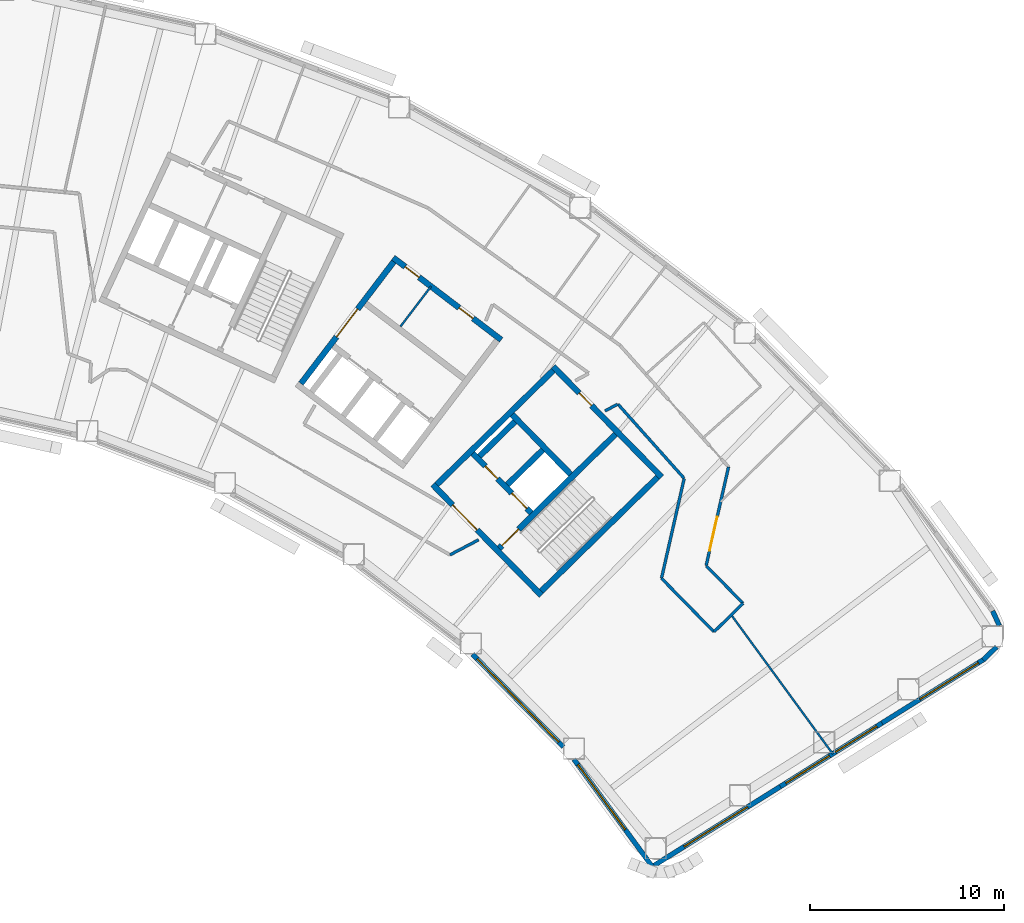
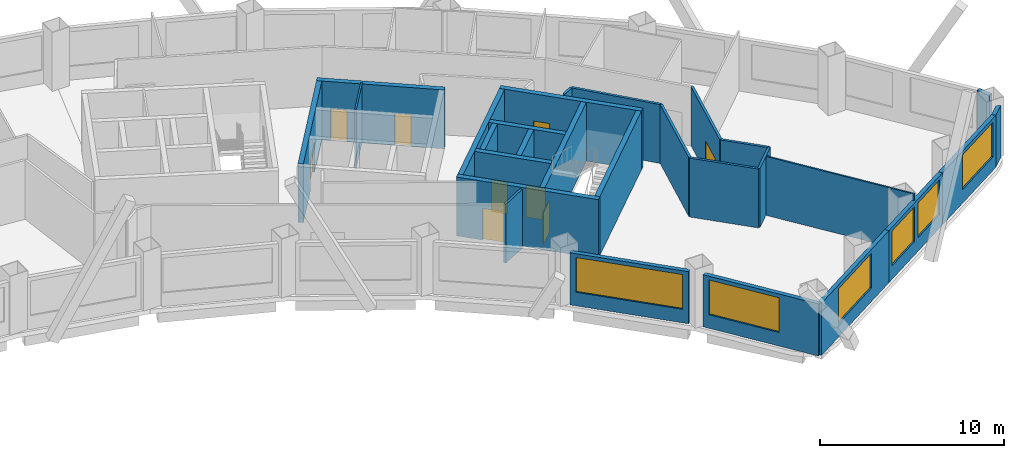
# One storey, part 6 of 11: 28 walls, 9 doors, 6 windows, 15 openings.
"""IFC4 building model written with IfcOpenShell, lengths in metres."""

from ifc_helpers import new_model, si_unit, direction, frame, frame_2d, origin, place, context, subcontext, project, spatial, rectangle, extrude, material, layer, layer_set, type_object, element, fill, save


model = new_model("IFC4")

# Units and contexts
model_context = context("Model", 3, precision=1e-05, world=origin(), true_north=direction((0.0, 1.0)))
body_context = subcontext(model_context, "Body", "Model", "MODEL_VIEW")
ifc_project = project(units=[si_unit("LENGTHUNIT", "METRE"), si_unit("AREAUNIT", "SQUARE_METRE"), si_unit("VOLUMEUNIT", "CUBIC_METRE"), si_unit("PLANEANGLEUNIT", "RADIAN"), si_unit("MASSUNIT", "GRAM", prefix="KILO")], contexts=[model_context])

# Site, building, storey
site_placement = place(None, origin())
site = spatial("IfcSite", under=ifc_project, at=site_placement, CompositionType="ELEMENT")
building_placement = place(site_placement, origin())
building = spatial("IfcBuilding", under=site, at=building_placement, Name="Tuul Gate Civic Tower", CompositionType="ELEMENT")
storey_placement = place(building_placement, frame((0.0, 0.0, 116.10009765625)))
storey = spatial("IfcBuildingStorey", under=building, at=storey_placement, Name="Level 26", CompositionType="ELEMENT", Elevation=116.10009765625)

# Wall, opening, door
ifc_material_1 = material(Name="Concrete C50/60", Category="concrete")
ifc_layer_1 = layer(ifc_material_1, 0.300048828125)
ifc_layer_set_1 = layer_set([ifc_layer_1], Name="Concrete C50/60")
wall_type_1 = type_object("IfcWallType", Name="Core wall C50/60", PredefinedType="SHEAR", material=ifc_layer_set_1)
wall_1_placement = place(storey_placement, frame((48.22509765625, -18.327880859375, 0.0), z_axis=(0.0, 0.0, 1.0), x_axis=(-0.700021979774, 0.714121297703, 0.0)))
wall_1 = element("IfcWall", 1, at=wall_1_placement, inside=storey, type_object=wall_type_1, Name="Core wall", PredefinedType="SHEAR", context=body_context, shape_type="SweptSolid", body=[
    extrude(rectangle(XDim=8.0, YDim=0.300048828125, at=frame_2d((4.0, 0.0))), origin(), (0.0, 0.0, 1.0), 3.89990234375),
])
opening_1_placement = place(wall_1_placement, frame((4.72509765625, 0.0, 0.0)))
opening_1 = element("IfcOpeningElement", 2, at=opening_1_placement, cuts=wall_1, Name="Opening LB-E1-LOBBY-1", PredefinedType="OPENING", context=body_context, shape_type="SweptSolid", body=[
    extrude(rectangle(XDim=1.800048828125, YDim=2.10009765625, at=frame_2d((0.89990234375, 1.050048828125))), frame((0.0, 0.16015625, 0.0), z_axis=(0.0, -1.0, 0.0), x_axis=(1.0, 0.0, 0.0)), (0.0, 0.0, 1.0), 0.320068359375),
])
ifc_material_2 = material(Name="Steel", Category="steel")
door_type_1 = type_object("IfcDoorType", Name="Lobby door", OperationType="DOUBLE_DOOR_SINGLE_SWING", PredefinedType="DOOR", material=ifc_material_2)
door_1_placement = place(opening_1_placement, frame((1.800048828125, 0.0, 0.0), z_axis=(0.0, 0.0, 1.0), x_axis=(-1.0, 0.0, 0.0)))
door_1 = element("IfcDoor", 3, at=door_1_placement, inside=storey, type_object=door_type_1, Name="Lobby door E1-LOBBY", OperationType="DOUBLE_DOOR_SINGLE_SWING", OverallHeight=2.10009765625, OverallWidth=1.800048828125, PredefinedType="DOOR", context=body_context, shape_type="SweptSolid", body=[
    extrude(rectangle(XDim=1.800048828125, YDim=2.10009765625, at=frame_2d((0.900146484375, 1.050048828125))), frame((0.0, 0.02490234375, 0.0), z_axis=(0.0, -1.0, 0.0), x_axis=(1.0, 0.0, 0.0)), (0.0, 0.0, 1.0), 0.050048828125),
])
fill(opening_1, door_1)

# Wall, openings, doors
wall_2_placement = place(storey_placement, frame((47.701904296875, -14.079833984375, 0.0), z_axis=(0.0, 0.0, 1.0), x_axis=(-0.700002721075, 0.714140175657, 0.0)))
wall_2 = element("IfcWall", 4, at=wall_2_placement, inside=storey, type_object=wall_type_1, Name="Core wall", PredefinedType="SHEAR", context=body_context, shape_type="SweptSolid", body=[
    extrude(rectangle(XDim=4.300048828125, YDim=0.300048828125, at=frame_2d((2.14990234375, 0.0))), origin(), (0.0, 0.0, 1.0), 3.89990234375),
])
opening_2_placement = place(wall_2_placement, frame((0.324951171875, 0.0, 0.0)))
opening_2 = element("IfcOpeningElement", 5, at=opening_2_placement, cuts=wall_2, Name="Opening LD-L4", PredefinedType="OPENING", context=body_context, shape_type="SweptSolid", body=[
    extrude(rectangle(XDim=1.10009765625, YDim=2.10009765625, at=frame_2d((0.550048828125, 1.050048828125))), frame((0.0, 0.16015625, 0.0), z_axis=(0.0, -1.0, 0.0), x_axis=(1.0, 0.0, 0.0)), (0.0, 0.0, 1.0), 0.320068359375),
])
opening_3_placement = place(wall_2_placement, frame((2.47509765625, 0.0, 0.0)))
opening_3 = element("IfcOpeningElement", 6, at=opening_3_placement, cuts=wall_2, Name="Opening FB-E1A2", PredefinedType="OPENING", context=body_context, shape_type="SweptSolid", body=[
    extrude(rectangle(XDim=0.89990234375, YDim=2.10009765625, at=frame_2d((0.449951171875, 1.050048828125))), frame((0.0, 0.16015625, 0.0), z_axis=(0.0, -1.0, 0.0), x_axis=(1.0, 0.0, 0.0)), (0.0, 0.0, 1.0), 0.320068359375),
])
ifc_material_3 = material(Name="Stainless steel", Category="steel")
door_type_2 = type_object("IfcDoorType", Name="Landing door", OperationType="DOUBLE_DOOR_SLIDING", PredefinedType="DOOR", material=ifc_material_3)
door_2_placement = place(opening_2_placement, origin())
door_2 = element("IfcDoor", 7, at=door_2_placement, inside=storey, type_object=door_type_2, Name="Low-rise lift L4 landing door", OperationType="DOUBLE_DOOR_SLIDING", OverallHeight=2.10009765625, OverallWidth=1.10009765625, PredefinedType="DOOR", context=body_context, shape_type="SweptSolid", body=[
    extrude(rectangle(XDim=1.10009765625, YDim=2.10009765625, at=frame_2d((0.550048828125, 1.050048828125))), frame((0.0, 0.02490234375, 0.0), z_axis=(0.0, -1.0, 0.0), x_axis=(1.0, 0.0, 0.0)), (0.0, 0.0, 1.0), 0.050048828125),
])
fill(opening_2, door_2)
ifc_material_4 = material(Name="Steel", Category="steel")
door_type_3 = type_object("IfcDoorType", Name="Store door", OperationType="NOTDEFINED", PredefinedType="DOOR", material=ifc_material_4)
door_3_placement = place(opening_3_placement, frame((0.89990234375, 0.0, 0.0), z_axis=(0.0, 0.0, 1.0), x_axis=(-1.0, 0.0, 0.0)))
door_3 = element("IfcDoor", 8, at=door_3_placement, inside=storey, type_object=door_type_3, Name="Store door E1A2", OperationType="SINGLE_SWING_LEFT", OverallHeight=2.10009765625, OverallWidth=0.89990234375, PredefinedType="DOOR", context=body_context, shape_type="SweptSolid", body=[
    extrude(rectangle(XDim=0.89990234375, YDim=2.10009765625, at=frame_2d((0.449951171875, 1.050048828125))), frame((0.0, 0.02490234375, 0.0), z_axis=(0.0, -1.0, 0.0), x_axis=(1.0, 0.0, 0.0)), (0.0, 0.0, 1.0), 0.050048828125),
])
fill(opening_3, door_3)

# Wall
wall_3_placement = place(storey_placement, frame((49.737060546875, -12.0849609375, 0.0), z_axis=(0.0, 0.0, 1.0), x_axis=(-0.700002721075, 0.714140175657, 0.0)))
element("IfcWall", 9, at=wall_3_placement, inside=storey, type_object=wall_type_1, Name="Core wall", PredefinedType="SHEAR", context=body_context, shape_type="SweptSolid", body=[
    extrude(rectangle(XDim=4.300048828125, YDim=0.300048828125, at=frame_2d((2.14990234375, 0.0))), origin(), (0.0, 0.0, 1.0), 3.89990234375),
])

# Wall, opening, door
wall_4_placement = place(storey_placement, frame((54.43798828125, -12.23779296875, 0.0), z_axis=(0.0, 0.0, 1.0), x_axis=(-0.700021979774, 0.714121297703, 0.0)))
wall_4 = element("IfcWall", 10, at=wall_4_placement, inside=storey, type_object=wall_type_1, Name="Core wall", PredefinedType="SHEAR", context=body_context, shape_type="SweptSolid", body=[
    extrude(rectangle(XDim=8.0, YDim=0.300048828125, at=frame_2d((4.0, 0.0))), origin(), (0.0, 0.0, 1.0), 3.89990234375),
])
opening_4_placement = place(wall_4_placement, frame((5.175048828125, 0.0, 0.0)))
opening_4 = element("IfcOpeningElement", 11, at=opening_4_placement, cuts=wall_4, Name="Opening H-D21", PredefinedType="OPENING", context=body_context, shape_type="SweptSolid", body=[
    extrude(rectangle(XDim=0.89990234375, YDim=2.10009765625, at=frame_2d((0.449951171875, 1.050048828125))), frame((0.0, 0.16015625, 0.0), z_axis=(0.0, -1.0, 0.0), x_axis=(1.0, 0.0, 0.0)), (0.0, 0.0, 1.0), 0.320068359375),
])
ifc_material_5 = material(Name="Timber door leaf", Category="wood")
door_type_4 = type_object("IfcDoorType", Name="Door D09", OperationType="NOTDEFINED", PredefinedType="DOOR", material=ifc_material_5)
door_4_placement = place(opening_4_placement, origin())
door_4 = element("IfcDoor", 12, at=door_4_placement, inside=storey, type_object=door_type_4, Name="Door H-D21", OperationType="SINGLE_SWING_LEFT", OverallHeight=2.10009765625, OverallWidth=0.89990234375, PredefinedType="DOOR", context=body_context, shape_type="SweptSolid", body=[
    extrude(rectangle(XDim=0.89990234375, YDim=2.10009765625, at=frame_2d((0.449951171875, 1.050048828125))), frame((0.0, 0.02490234375, 0.0), z_axis=(0.0, -1.0, 0.0), x_axis=(1.0, 0.0, 0.0)), (0.0, 0.0, 1.0), 0.050048828125),
])
fill(opening_4, door_4)

# Wall
wall_5_placement = place(storey_placement, frame((48.227294921875, -18.115966796875, 0.0), z_axis=(0.0, 0.0, 1.0), x_axis=(0.714105315431, 0.700038283577, 0.0)))
element("IfcWall", 13, at=wall_5_placement, inside=storey, type_object=wall_type_1, Name="Core wall", PredefinedType="SHEAR", context=body_context, shape_type="SweptSolid", body=[
    extrude(rectangle(XDim=8.400146484375, YDim=0.300048828125, at=frame_2d((4.2001953125, 0.0))), origin(), (0.0, 0.0, 1.0), 3.89990234375),
])

# Wall, opening, door
wall_6_placement = place(storey_placement, frame((46.05712890625, -15.902099609375, 0.0), z_axis=(0.0, 0.0, 1.0), x_axis=(0.714134086973, 0.700008932674, 0.0)))
wall_6 = element("IfcWall", 14, at=wall_6_placement, inside=storey, type_object=wall_type_1, Name="Core wall", PredefinedType="SHEAR", context=body_context, shape_type="SweptSolid", body=[
    extrude(rectangle(XDim=8.400146484375, YDim=0.300048828125, at=frame_2d((4.2001953125, 0.0))), origin(), (0.0, 0.0, 1.0), 3.89990234375),
])
opening_5_placement = place(wall_6_placement, frame((0.199951171875, 0.0, 0.0)))
opening_5 = element("IfcOpeningElement", 15, at=opening_5_placement, cuts=wall_6, Name="Opening SD-ST-3", PredefinedType="OPENING", context=body_context, shape_type="SweptSolid", body=[
    extrude(rectangle(XDim=1.199951171875, YDim=2.10009765625, at=frame_2d((0.60009765625, 1.050048828125))), frame((0.0, 0.16015625, 0.0), z_axis=(0.0, -1.0, 0.0), x_axis=(1.0, 0.0, 0.0)), (0.0, 0.0, 1.0), 0.320068359375),
])
ifc_material_6 = material(Name="Steel", Category="steel")
door_type_5 = type_object("IfcDoorType", Name="Stair door", OperationType="NOTDEFINED", PredefinedType="DOOR", material=ifc_material_6)
door_5_placement = place(opening_5_placement, origin())
door_5 = element("IfcDoor", 16, at=door_5_placement, inside=storey, type_object=door_type_5, Name="Stair door ST-3", OperationType="SINGLE_SWING_LEFT", OverallHeight=2.10009765625, OverallWidth=1.199951171875, PredefinedType="DOOR", context=body_context, shape_type="SweptSolid", body=[
    extrude(rectangle(XDim=1.199951171875, YDim=2.10009765625, at=frame_2d((0.60009765625, 1.050048828125))), frame((0.0, 0.02490234375, 0.0), z_axis=(0.0, -1.0, 0.0), x_axis=(1.0, 0.0, 0.0)), (0.0, 0.0, 1.0), 0.050048828125),
])
fill(opening_5, door_5)

# Walls
wall_7_placement = place(storey_placement, frame((46.47900390625, -12.617919921875, 0.0), z_axis=(0.0, 0.0, 1.0), x_axis=(0.71410944159, 0.700034074479, 0.0)))
element("IfcWall", 17, at=wall_7_placement, inside=storey, type_object=wall_type_1, Name="Core wall", PredefinedType="SHEAR", context=body_context, shape_type="SweptSolid", body=[
    extrude(rectangle(XDim=2.5498046875, YDim=0.300048828125, at=frame_2d((1.27490234375, 0.0))), origin(), (0.0, 0.0, 1.0), 3.89990234375),
])
wall_8_placement = place(storey_placement, frame((45.0439453125, -11.154052734375, 0.0), z_axis=(0.0, 0.0, 1.0), x_axis=(0.714108498262, 0.700035036773, 0.0)))
element("IfcWall", 18, at=wall_8_placement, inside=storey, type_object=wall_type_1, Name="Core wall", PredefinedType="SHEAR", context=body_context, shape_type="SweptSolid", body=[
    extrude(rectangle(XDim=2.550048828125, YDim=0.300048828125, at=frame_2d((1.27490234375, 0.0))), origin(), (0.0, 0.0, 1.0), 3.89990234375),
])
wall_9_placement = place(storey_placement, frame((42.837158203125, -12.616943359375, 0.0), z_axis=(0.0, 0.0, 1.0), x_axis=(0.714119844755, 0.700023461983, 0.0)))
element("IfcWall", 19, at=wall_9_placement, inside=storey, type_object=wall_type_1, Name="Core wall", PredefinedType="SHEAR", context=body_context, shape_type="SweptSolid", body=[
    extrude(rectangle(XDim=8.39990234375, YDim=0.300048828125, at=frame_2d((4.199951171875, 0.0))), origin(), (0.0, 0.0, 1.0), 3.89990234375),
])
ifc_material_7 = material(Name="Gypsum board partition")
ifc_layer_2 = layer(ifc_material_7, 0.14990234375)
ifc_layer_set_2 = layer_set([ifc_layer_2], Name="Gypsum board partition")
wall_type_2 = type_object("IfcWallType", Name="Corridor wall P150", PredefinedType="PARTITIONING", material=ifc_layer_set_2)
wall_10_placement = place(storey_placement, frame((57.13330078125, -20.214599609375, 0.0), z_axis=(0.0, 0.0, 1.0), x_axis=(0.714162857284, 0.699979580613, 0.0)))
element("IfcWall", 20, at=wall_10_placement, inside=storey, type_object=wall_type_2, Name="p002", PredefinedType="PARTITIONING", context=body_context, shape_type="SweptSolid", body=[
    extrude(rectangle(XDim=2.10009765625, YDim=0.14990234375, at=frame_2d((1.050048828125, 0.0))), origin(), (0.0, 0.0, 1.0), 3.89990234375),
])
wall_11_placement = place(storey_placement, frame((56.735107421875, -16.80859375, 0.0), z_axis=(0.0, 0.0, 1.0), x_axis=(0.700048002163, -0.71409578816, 0.0)))
element("IfcWall", 21, at=wall_11_placement, inside=storey, type_object=wall_type_2, Name="p003", PredefinedType="PARTITIONING", context=body_context, shape_type="SweptSolid", body=[
    extrude(rectangle(XDim=2.711181640625, YDim=0.14990234375, at=frame_2d((1.35546875, 0.0))), origin(), (0.0, 0.0, 1.0), 3.89990234375),
])

# Wall, opening, door
wall_12_placement = place(storey_placement, frame((56.729248046875, -16.794677734375, 0.0), z_axis=(0.0, 0.0, 1.0), x_axis=(0.221165877897, 0.975236204442, 0.0)))
wall_12 = element("IfcWall", 22, at=wall_12_placement, inside=storey, type_object=wall_type_2, Name="p004", PredefinedType="PARTITIONING", context=body_context, shape_type="SweptSolid", body=[
    extrude(rectangle(XDim=5.2158203125, YDim=0.14990234375, at=frame_2d((2.60791015625, 0.0))), origin(), (0.0, 0.0, 1.0), 3.89990234375),
])
opening_6_placement = place(wall_12_placement, frame((0.78564453125, 0.0, 0.0)))
opening_6 = element("IfcOpeningElement", 23, at=opening_6_placement, cuts=wall_12, Name="Opening H-D01", PredefinedType="OPENING", context=body_context, shape_type="SweptSolid", body=[
    extrude(rectangle(XDim=1.800048828125, YDim=2.10009765625, at=frame_2d((0.89990234375, 1.050048828125))), frame((0.0, 0.0849609375, 0.0), z_axis=(0.0, -1.0, 0.0), x_axis=(1.0, 0.0, 0.0)), (0.0, 0.0, 1.0), 0.169921875),
])
ifc_material_8 = material(Name="Timber door leaf, double", Category="wood")
door_type_6 = type_object("IfcDoorType", Name="Door D18", OperationType="DOUBLE_DOOR_SINGLE_SWING", PredefinedType="DOOR", material=ifc_material_8)
door_6_placement = place(opening_6_placement, frame((1.800048828125, 0.0, 0.0), z_axis=(0.0, 0.0, 1.0), x_axis=(-1.0, 0.0, 0.0)))
door_6 = element("IfcDoor", 24, at=door_6_placement, inside=storey, type_object=door_type_6, Name="Door H-D01", OperationType="DOUBLE_DOOR_SINGLE_SWING", OverallHeight=2.10009765625, OverallWidth=1.800048828125, PredefinedType="DOOR", context=body_context, shape_type="SweptSolid", body=[
    extrude(rectangle(XDim=1.800048828125, YDim=2.10009765625, at=frame_2d((0.900146484375, 1.050048828125))), frame((0.0, 0.02490234375, 0.0), z_axis=(0.0, -1.0, 0.0), x_axis=(1.0, 0.0, 0.0)), (0.0, 0.0, 1.0), 0.050048828125),
])
fill(opening_6, door_6)

# Walls
wall_13_placement = place(storey_placement, frame((43.515869140625, -16.243408203125, 0.0), z_axis=(0.0, 0.0, 1.0), x_axis=(0.885325882858, 0.46497105409, 0.0)))
element("IfcWall", 25, at=wall_13_placement, inside=storey, type_object=wall_type_2, Name="p064", PredefinedType="PARTITIONING", context=body_context, shape_type="SweptSolid", body=[
    extrude(rectangle(XDim=1.67431640625, YDim=0.14990234375, at=frame_2d((0.837158203125, 0.0))), origin(), (0.0, 0.0, 1.0), 3.89990234375),
])
wall_14_placement = place(storey_placement, frame((51.510009765625, -8.822509765625, 0.0), z_axis=(0.0, 0.0, 1.0), x_axis=(0.881307973223, 0.472542332849, 0.0)))
element("IfcWall", 26, at=wall_14_placement, inside=storey, type_object=wall_type_2, Name="p065", PredefinedType="PARTITIONING", context=body_context, shape_type="SweptSolid", body=[
    extrude(rectangle(XDim=0.73876953125, YDim=0.14990234375, at=frame_2d((0.369384765625, 0.0))), origin(), (0.0, 0.0, 1.0), 3.89990234375),
])
wall_15_placement = place(storey_placement, frame((52.186279296875, -8.477783203125, 0.0), z_axis=(0.0, 0.0, 1.0), x_axis=(0.665785985921, -0.746142761776, 0.0)))
element("IfcWall", 27, at=wall_15_placement, inside=storey, type_object=wall_type_2, Name="p066", PredefinedType="PARTITIONING", context=body_context, shape_type="SweptSolid", body=[
    extrude(rectangle(XDim=5.1103515625, YDim=0.14990234375, at=frame_2d((2.55517578125, 0.0))), origin(), (0.0, 0.0, 1.0), 3.89990234375),
])
wall_16_placement = place(storey_placement, frame((54.42578125, -17.452392578125, 0.0), z_axis=(0.0, 0.0, 1.0), x_axis=(0.221368990487, 0.975190119951, 0.0)))
element("IfcWall", 28, at=wall_16_placement, inside=storey, type_object=wall_type_2, Name="p067", PredefinedType="PARTITIONING", context=body_context, shape_type="SweptSolid", body=[
    extrude(rectangle(XDim=5.27392578125, YDim=0.14990234375, at=frame_2d((2.636962890625, 0.0))), origin(), (0.0, 0.0, 1.0), 3.89990234375),
])
wall_17_placement = place(storey_placement, frame((54.42578125, -17.452392578125, 0.0), z_axis=(0.0, 0.0, 1.0), x_axis=(0.700001989111, -0.71414089313, 0.0)))
element("IfcWall", 29, at=wall_17_placement, inside=storey, type_object=wall_type_2, Name="p068", PredefinedType="PARTITIONING", context=body_context, shape_type="SweptSolid", body=[
    extrude(rectangle(XDim=3.867919921875, YDim=0.14990234375, at=frame_2d((1.93408203125, 0.0))), origin(), (0.0, 0.0, 1.0), 3.89990234375),
])
ifc_material_9 = material(Name="Precast concrete C40/50", Category="concrete")
ifc_layer_3 = layer(ifc_material_9, 0.25)
ifc_layer_set_3 = layer_set([ifc_layer_3], Name="Precast concrete C40/50")
wall_type_3 = type_object("IfcWallType", Name="External wall", PredefinedType="STANDARD", material=ifc_layer_set_3)
wall_18_placement = place(storey_placement, frame((71.01953125, -21.65478515625, 0.0), z_axis=(0.0, 0.0, 1.0), x_axis=(0.721494337976, 0.692420334961, 0.0)))
element("IfcWall", 30, at=wall_18_placement, inside=storey, type_object=wall_type_3, Name="External wall", PredefinedType="STANDARD", context=body_context, shape_type="SweptSolid", body=[
    extrude(rectangle(XDim=0.957275390625, YDim=0.25, at=frame_2d((0.478515625, 0.0))), origin(), (0.0, 0.0, 1.0), 3.449951171875),
])
wall_19_placement = place(storey_placement, frame((71.84765625, -19.89208984375, 0.0), z_axis=(0.0, 0.0, 1.0), x_axis=(-0.412982206982, 0.910739093658, 0.0)))
element("IfcWall", 31, at=wall_19_placement, inside=storey, type_object=wall_type_3, Name="External wall", PredefinedType="STANDARD", context=body_context, shape_type="SweptSolid", body=[
    extrude(rectangle(XDim=0.829345703125, YDim=0.25, at=frame_2d((0.41455078125, 0.0))), origin(), (0.0, 0.0, 1.0), 3.449951171875),
])

# Wall, opening, window
wall_20_placement = place(storey_placement, frame((44.679931640625, -21.366943359375, 0.0), z_axis=(0.0, 0.0, 1.0), x_axis=(0.700023947057, -0.714119369256, 0.0)))
wall_20 = element("IfcWall", 32, at=wall_20_placement, inside=storey, type_object=wall_type_3, Name="External wall", PredefinedType="STANDARD", context=body_context, shape_type="SweptSolid", body=[
    extrude(rectangle(XDim=6.685791015625, YDim=0.25, at=frame_2d((3.3427734375, 0.0))), origin(), (0.0, 0.0, 1.0), 3.449951171875),
])
opening_7_placement = place(wall_20_placement, frame((0.343994140625, 0.0, 0.89990234375)))
opening_7 = element("IfcOpeningElement", 33, at=opening_7_placement, cuts=wall_20, Name="Opening W26", PredefinedType="OPENING", context=body_context, shape_type="SweptSolid", body=[
    extrude(rectangle(XDim=6.0, YDim=2.300048828125, at=frame_2d((3.0, 1.14990234375))), frame((0.0, 0.135009765625, 0.0), z_axis=(0.0, -1.0, 0.0), x_axis=(1.0, 0.0, 0.0)), (0.0, 0.0, 1.0), 0.27001953125),
])
ifc_material_10 = material(Name="Glass", Category="glass")
window_type_1 = type_object("IfcWindowType", Name="Window W26 6000 x 2300", PartitioningType="SINGLE_PANEL", PredefinedType="WINDOW", material=ifc_material_10)
window_1_placement = place(opening_7_placement, origin())
window_1 = element("IfcWindow", 34, at=window_1_placement, inside=storey, type_object=window_type_1, Name="Window", OverallHeight=2.300048828125, OverallWidth=6.0, PartitioningType="SINGLE_PANEL", PredefinedType="WINDOW", context=body_context, shape_type="SweptSolid", body=[
    extrude(rectangle(XDim=6.0, YDim=2.300048828125, at=frame_2d((3.0, 1.14990234375))), frame((0.0, 0.030029296875, 0.0), z_axis=(0.0, -1.0, 0.0), x_axis=(1.0, 0.0, 0.0)), (0.0, 0.0, 1.0), 0.06005859375),
])
fill(opening_7, window_1)

wall_21_placement = place(storey_placement, frame((49.9091796875, -26.7880859375, 0.0), z_axis=(0.0, 0.0, 1.0), x_axis=(0.589741263703, -0.807592249769, 0.0)))
wall_21 = element("IfcWall", 35, at=wall_21_placement, inside=storey, type_object=wall_type_3, Name="External wall", PredefinedType="STANDARD", context=body_context, shape_type="SweptSolid", body=[
    extrude(rectangle(XDim=6.848388671875, YDim=0.25, at=frame_2d((3.42431640625, 0.0))), origin(), (0.0, 0.0, 1.0), 3.449951171875),
])
opening_8_placement = place(wall_21_placement, frame((0.341796875, 0.0, 0.89990234375)))
opening_8 = element("IfcOpeningElement", 36, at=opening_8_placement, cuts=wall_21, Name="Opening W25", PredefinedType="OPENING", context=body_context, shape_type="SweptSolid", body=[
    extrude(rectangle(XDim=4.14990234375, YDim=2.300048828125, at=frame_2d((2.074951171875, 1.14990234375))), frame((0.0, 0.135009765625, 0.0), z_axis=(0.0, -1.0, 0.0), x_axis=(1.0, 0.0, 0.0)), (0.0, 0.0, 1.0), 0.27001953125),
])
ifc_material_11 = material(Name="Glass", Category="glass")
window_type_2 = type_object("IfcWindowType", Name="Window W25 4150 x 2300", PartitioningType="SINGLE_PANEL", PredefinedType="WINDOW", material=ifc_material_11)
window_2_placement = place(opening_8_placement, origin())
window_2 = element("IfcWindow", 37, at=window_2_placement, inside=storey, type_object=window_type_2, Name="Window", OverallHeight=2.300048828125, OverallWidth=4.14990234375, PartitioningType="SINGLE_PANEL", PredefinedType="WINDOW", context=body_context, shape_type="SweptSolid", body=[
    extrude(rectangle(XDim=4.14990234375, YDim=2.300048828125, at=frame_2d((2.074951171875, 1.14990234375))), frame((0.0, 0.030029296875, 0.0), z_axis=(0.0, -1.0, 0.0), x_axis=(1.0, 0.0, 0.0)), (0.0, 0.0, 1.0), 0.06005859375),
])
fill(opening_8, window_2)

wall_22_placement = place(storey_placement, frame((53.947998046875, -32.31884765625, 0.0), z_axis=(0.0, 0.0, 1.0), x_axis=(0.848051131154, 0.529914407191, 0.0)))
wall_22 = element("IfcWall", 38, at=wall_22_placement, inside=storey, type_object=wall_type_3, Name="External wall", PredefinedType="STANDARD", context=body_context, shape_type="SweptSolid", body=[
    extrude(rectangle(XDim=7.788330078125, YDim=0.25, at=frame_2d((3.89404296875, 0.0))), origin(), (0.0, 0.0, 1.0), 3.449951171875),
])
opening_9_placement = place(wall_22_placement, frame((1.944091796875, 0.0, 0.89990234375)))
opening_9 = element("IfcOpeningElement", 39, at=opening_9_placement, cuts=wall_22, Name="Opening W22", PredefinedType="OPENING", context=body_context, shape_type="SweptSolid", body=[
    extrude(rectangle(XDim=3.85009765625, YDim=2.300048828125, at=frame_2d((1.925048828125, 1.14990234375))), frame((0.0, 0.135009765625, 0.0), z_axis=(0.0, -1.0, 0.0), x_axis=(1.0, 0.0, 0.0)), (0.0, 0.0, 1.0), 0.27001953125),
])
ifc_material_12 = material(Name="Glass", Category="glass")
window_type_3 = type_object("IfcWindowType", Name="Window W22 3850 x 2300", PartitioningType="SINGLE_PANEL", PredefinedType="WINDOW", material=ifc_material_12)
window_3_placement = place(opening_9_placement, origin())
window_3 = element("IfcWindow", 40, at=window_3_placement, inside=storey, type_object=window_type_3, Name="Window", OverallHeight=2.300048828125, OverallWidth=3.85009765625, PartitioningType="SINGLE_PANEL", PredefinedType="WINDOW", context=body_context, shape_type="SweptSolid", body=[
    extrude(rectangle(XDim=3.85009765625, YDim=2.300048828125, at=frame_2d((1.925048828125, 1.14990234375))), frame((0.0, 0.030029296875, 0.0), z_axis=(0.0, -1.0, 0.0), x_axis=(1.0, 0.0, 0.0)), (0.0, 0.0, 1.0), 0.06005859375),
])
fill(opening_9, window_3)

# Wall, openings, windows
wall_23_placement = place(storey_placement, frame((60.552978515625, -28.191650390625, 0.0), z_axis=(0.0, 0.0, 1.0), x_axis=(0.848053758074, 0.529910203164, 0.0)))
wall_23 = element("IfcWall", 41, at=wall_23_placement, inside=storey, type_object=wall_type_3, Name="External wall", PredefinedType="STANDARD", context=body_context, shape_type="SweptSolid", body=[
    extrude(rectangle(XDim=6.182861328125, YDim=0.25, at=frame_2d((3.09130859375, 0.0))), origin(), (0.0, 0.0, 1.0), 3.449951171875),
])
opening_10_placement = place(wall_23_placement, frame((0.339111328125, 0.0, 0.89990234375)))
opening_10 = element("IfcOpeningElement", 42, at=opening_10_placement, cuts=wall_23, Name="Opening W37", PredefinedType="OPENING", context=body_context, shape_type="SweptSolid", body=[
    extrude(rectangle(XDim=2.64990234375, YDim=2.300048828125, at=frame_2d((1.324951171875, 1.14990234375))), frame((0.0, 0.135009765625, 0.0), z_axis=(0.0, -1.0, 0.0), x_axis=(1.0, 0.0, 0.0)), (0.0, 0.0, 1.0), 0.27001953125),
])
opening_11_placement = place(wall_23_placement, frame((3.3642578125, 0.0, 0.89990234375)))
opening_11 = element("IfcOpeningElement", 43, at=opening_11_placement, cuts=wall_23, Name="Opening W38", PredefinedType="OPENING", context=body_context, shape_type="SweptSolid", body=[
    extrude(rectangle(XDim=2.5, YDim=2.300048828125, at=frame_2d((1.25, 1.14990234375))), frame((0.0, 0.135009765625, 0.0), z_axis=(0.0, -1.0, 0.0), x_axis=(1.0, 0.0, 0.0)), (0.0, 0.0, 1.0), 0.27001953125),
])
ifc_material_13 = material(Name="Glass", Category="glass")
window_type_4 = type_object("IfcWindowType", Name="Window 2500 x 2300", PartitioningType="SINGLE_PANEL", PredefinedType="WINDOW", material=ifc_material_13)
window_4_placement = place(opening_11_placement, origin())
window_4 = element("IfcWindow", 44, at=window_4_placement, inside=storey, type_object=window_type_4, Name="Window", OverallHeight=2.300048828125, OverallWidth=2.5, PartitioningType="SINGLE_PANEL", PredefinedType="WINDOW", context=body_context, shape_type="SweptSolid", body=[
    extrude(rectangle(XDim=2.5, YDim=2.300048828125, at=frame_2d((1.25, 1.14990234375))), frame((0.0, 0.030029296875, 0.0), z_axis=(0.0, -1.0, 0.0), x_axis=(1.0, 0.0, 0.0)), (0.0, 0.0, 1.0), 0.06005859375),
])
fill(opening_11, window_4)
ifc_material_14 = material(Name="Glass", Category="glass")
window_type_5 = type_object("IfcWindowType", Name="Window 2650 x 2300", PartitioningType="SINGLE_PANEL", PredefinedType="WINDOW", material=ifc_material_14)
window_5_placement = place(opening_10_placement, origin())
window_5 = element("IfcWindow", 45, at=window_5_placement, inside=storey, type_object=window_type_5, Name="Window", OverallHeight=2.300048828125, OverallWidth=2.64990234375, PartitioningType="SINGLE_PANEL", PredefinedType="WINDOW", context=body_context, shape_type="SweptSolid", body=[
    extrude(rectangle(XDim=2.64990234375, YDim=2.300048828125, at=frame_2d((1.324951171875, 1.14990234375))), frame((0.0, 0.030029296875, 0.0), z_axis=(0.0, -1.0, 0.0), x_axis=(1.0, 0.0, 0.0)), (0.0, 0.0, 1.0), 0.06005859375),
])
fill(opening_10, window_5)

# Wall, opening, window
wall_24_placement = place(storey_placement, frame((65.79638671875, -24.915283203125, 0.0), z_axis=(0.0, 0.0, 1.0), x_axis=(0.848053758074, 0.529910203164, 0.0)))
wall_24 = element("IfcWall", 46, at=wall_24_placement, inside=storey, type_object=wall_type_3, Name="External wall", PredefinedType="STANDARD", context=body_context, shape_type="SweptSolid", body=[
    extrude(rectangle(XDim=6.182861328125, YDim=0.25, at=frame_2d((3.09130859375, 0.0))), origin(), (0.0, 0.0, 1.0), 3.449951171875),
])
opening_12_placement = place(wall_24_placement, frame((2.30908203125, 0.0, 0.89990234375)))
opening_12 = element("IfcOpeningElement", 47, at=opening_12_placement, cuts=wall_24, Name="Opening W112", PredefinedType="OPENING", context=body_context, shape_type="SweptSolid", body=[
    extrude(rectangle(XDim=3.550048828125, YDim=2.300048828125, at=frame_2d((1.77490234375, 1.14990234375))), frame((0.0, 0.135009765625, 0.0), z_axis=(0.0, -1.0, 0.0), x_axis=(1.0, 0.0, 0.0)), (0.0, 0.0, 1.0), 0.27001953125),
])
ifc_material_15 = material(Name="Glass", Category="glass")
window_type_6 = type_object("IfcWindowType", Name="Window W112 3550 x 2300", PartitioningType="SINGLE_PANEL", PredefinedType="WINDOW", material=ifc_material_15)
window_6_placement = place(opening_12_placement, origin())
window_6 = element("IfcWindow", 48, at=window_6_placement, inside=storey, type_object=window_type_6, Name="Window", OverallHeight=2.300048828125, OverallWidth=3.550048828125, PartitioningType="SINGLE_PANEL", PredefinedType="WINDOW", context=body_context, shape_type="SweptSolid", body=[
    extrude(rectangle(XDim=3.550048828125, YDim=2.300048828125, at=frame_2d((1.77490234375, 1.14990234375))), frame((0.0, 0.030029296875, 0.0), z_axis=(0.0, -1.0, 0.0), x_axis=(1.0, 0.0, 0.0)), (0.0, 0.0, 1.0), 0.06005859375),
])
fill(opening_12, window_6)

# Wall, openings, doors
ifc_material_16 = material(Name="Concrete C40/50", Category="concrete")
ifc_layer_4 = layer(ifc_material_16, 0.300048828125)
ifc_layer_set_4 = layer_set([ifc_layer_4], Name="Concrete C40/50")
wall_type_4 = type_object("IfcWallType", Name="Lift shaft wall C40/50", PredefinedType="STANDARD", material=ifc_layer_set_4)
wall_25_placement = place(storey_placement, frame((46.1591796875, -5.1533203125, 0.0), z_axis=(0.0, 0.0, 1.0), x_axis=(-0.795579811045, 0.605848796531, 0.0)))
wall_25 = element("IfcWall", 49, at=wall_25_placement, inside=storey, type_object=wall_type_4, Name="Shaft wall", PredefinedType="STANDARD", context=body_context, shape_type="SweptSolid", body=[
    extrude(rectangle(XDim=7.0, YDim=0.300048828125, at=frame_2d((3.5, 0.0))), origin(), (0.0, 0.0, 1.0), 3.89990234375),
])
opening_13_placement = place(wall_25_placement, frame((1.824951171875, 0.0, 0.0)))
opening_13 = element("IfcOpeningElement", 50, at=opening_13_placement, cuts=wall_25, Name="Opening H-D19", PredefinedType="OPENING", context=body_context, shape_type="SweptSolid", body=[
    extrude(rectangle(XDim=0.89990234375, YDim=2.10009765625, at=frame_2d((0.449951171875, 1.050048828125))), frame((0.0, 0.16015625, 0.0), z_axis=(0.0, -1.0, 0.0), x_axis=(1.0, 0.0, 0.0)), (0.0, 0.0, 1.0), 0.320068359375),
])
opening_14_placement = place(wall_25_placement, frame((5.324951171875, 0.0, 0.0)))
opening_14 = element("IfcOpeningElement", 51, at=opening_14_placement, cuts=wall_25, Name="Opening H-D20", PredefinedType="OPENING", context=body_context, shape_type="SweptSolid", body=[
    extrude(rectangle(XDim=0.89990234375, YDim=2.10009765625, at=frame_2d((0.449951171875, 1.050048828125))), frame((0.0, 0.16015625, 0.0), z_axis=(0.0, -1.0, 0.0), x_axis=(1.0, 0.0, 0.0)), (0.0, 0.0, 1.0), 0.320068359375),
])
door_7_placement = place(opening_13_placement, origin())
door_7 = element("IfcDoor", 52, at=door_7_placement, inside=storey, type_object=door_type_4, Name="Door H-D19", OperationType="SINGLE_SWING_LEFT", OverallHeight=2.10009765625, OverallWidth=0.89990234375, PredefinedType="DOOR", context=body_context, shape_type="SweptSolid", body=[
    extrude(rectangle(XDim=0.89990234375, YDim=2.10009765625, at=frame_2d((0.449951171875, 1.050048828125))), frame((0.0, 0.02490234375, 0.0), z_axis=(0.0, -1.0, 0.0), x_axis=(1.0, 0.0, 0.0)), (0.0, 0.0, 1.0), 0.050048828125),
])
fill(opening_13, door_7)
door_8_placement = place(opening_14_placement, origin())
door_8 = element("IfcDoor", 53, at=door_8_placement, inside=storey, type_object=door_type_4, Name="Door H-D20", OperationType="SINGLE_SWING_RIGHT", OverallHeight=2.10009765625, OverallWidth=0.89990234375, PredefinedType="DOOR", context=body_context, shape_type="SweptSolid", body=[
    extrude(rectangle(XDim=0.89990234375, YDim=2.10009765625, at=frame_2d((0.449951171875, 1.050048828125))), frame((0.0, 0.02490234375, 0.0), z_axis=(0.0, -1.0, 0.0), x_axis=(1.0, 0.0, 0.0)), (0.0, 0.0, 1.0), 0.050048828125),
])
fill(opening_14, door_8)

# Wall, opening, door
wall_26_placement = place(storey_placement, frame((35.8330078125, -7.408203125, 0.0), z_axis=(0.0, 0.0, 1.0), x_axis=(0.605769437763, 0.795640237967, 0.0)))
wall_26 = element("IfcWall", 54, at=wall_26_placement, inside=storey, type_object=wall_type_4, Name="Shaft wall", PredefinedType="STANDARD", context=body_context, shape_type="SweptSolid", body=[
    extrude(rectangle(XDim=7.900146484375, YDim=0.300048828125, at=frame_2d((3.9501953125, 0.0))), origin(), (0.0, 0.0, 1.0), 3.89990234375),
])
opening_15_placement = place(wall_26_placement, frame((3.02490234375, 0.0, 0.0)))
opening_15 = element("IfcOpeningElement", 55, at=opening_15_placement, cuts=wall_26, Name="Opening LB-E2-LOBBY-1", PredefinedType="OPENING", context=body_context, shape_type="SweptSolid", body=[
    extrude(rectangle(XDim=1.800048828125, YDim=2.10009765625, at=frame_2d((0.89990234375, 1.050048828125))), frame((0.0, 0.16015625, 0.0), z_axis=(0.0, -1.0, 0.0), x_axis=(1.0, 0.0, 0.0)), (0.0, 0.0, 1.0), 0.320068359375),
])
door_9_placement = place(opening_15_placement, frame((1.800048828125, 0.0, 0.0), z_axis=(0.0, 0.0, 1.0), x_axis=(-1.0, 0.0, 0.0)))
door_9 = element("IfcDoor", 56, at=door_9_placement, inside=storey, type_object=door_type_1, Name="Lobby door E2-LOBBY", OperationType="DOUBLE_DOOR_SINGLE_SWING", OverallHeight=2.10009765625, OverallWidth=1.800048828125, PredefinedType="DOOR", context=body_context, shape_type="SweptSolid", body=[
    extrude(rectangle(XDim=1.800048828125, YDim=2.10009765625, at=frame_2d((0.900146484375, 1.050048828125))), frame((0.0, 0.02490234375, 0.0), z_axis=(0.0, -1.0, 0.0), x_axis=(1.0, 0.0, 0.0)), (0.0, 0.0, 1.0), 0.050048828125),
])
fill(opening_15, door_9)

# Walls
ifc_material_17 = material(Name="Gypsum board partition")
ifc_layer_5 = layer(ifc_material_17, 0.10009765625)
ifc_layer_set_5 = layer_set([ifc_layer_5], Name="Gypsum board partition")
wall_type_5 = type_object("IfcWallType", Name="Partition P100", PredefinedType="PARTITIONING", material=ifc_layer_set_5)
wall_27_placement = place(storey_placement, frame((58.03271484375, -19.352783203125, 0.0), z_axis=(0.0, 0.0, 1.0), x_axis=(0.589815518848, -0.807538019988, 0.0)))
element("IfcWall", 57, at=wall_27_placement, inside=storey, type_object=wall_type_5, Name="p001", PredefinedType="PARTITIONING", context=body_context, shape_type="SweptSolid", body=[
    extrude(rectangle(XDim=8.859619140625, YDim=0.10009765625, at=frame_2d((4.4296875, 0.0))), origin(), (0.0, 0.0, 1.0), 3.89990234375),
])
wall_28_placement = place(storey_placement, frame((40.96435546875, -4.46533203125, 0.0), z_axis=(0.0, 0.0, 1.0), x_axis=(0.605768745095, 0.795640765337, 0.0)))
element("IfcWall", 58, at=wall_28_placement, inside=storey, type_object=wall_type_5, Name="bE2-BAND-0", PredefinedType="PARTITIONING", context=body_context, shape_type="SweptSolid", body=[
    extrude(rectangle(XDim=2.599853515625, YDim=0.10009765625, at=frame_2d((1.2998046875, 0.0))), origin(), (0.0, 0.0, 1.0), 3.89990234375),
])

save(model, "model.ifc")
